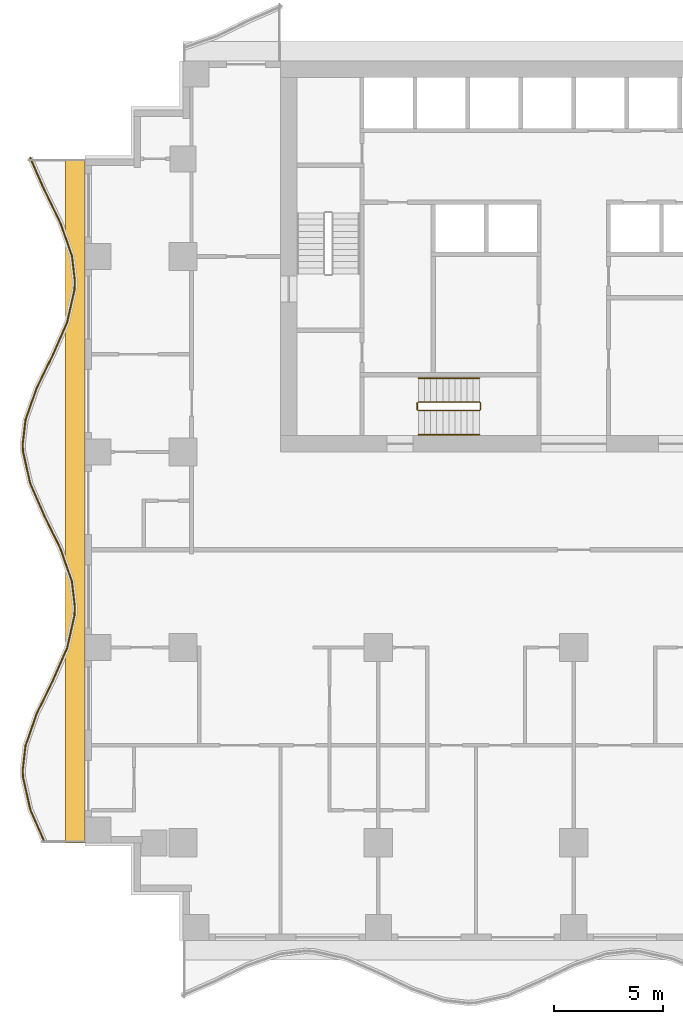
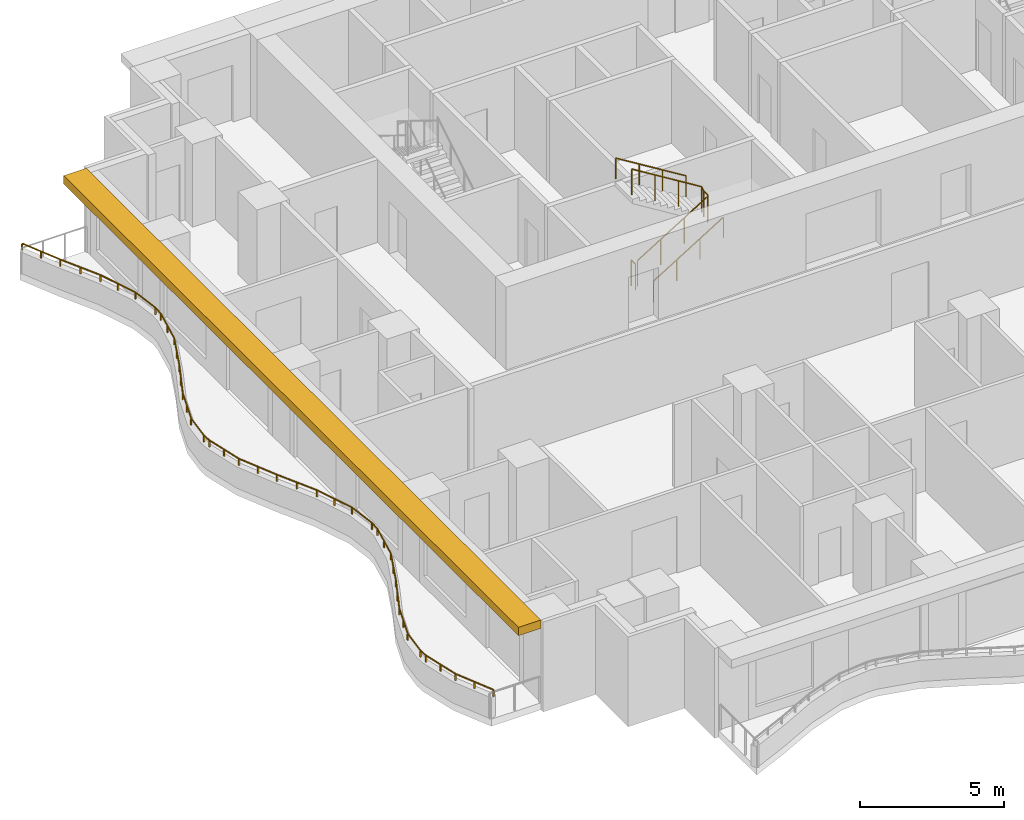
# One storey, part 8 of 10: 5 railings, 1 shading device.
"""IFC4 building model written with IfcOpenShell, lengths in metres."""

import ifcopenshell
import ifcopenshell.guid

model = None  # the IFC model being written
_history = None  # IfcOwnerHistory: only IFC2X3 demands one
_inside = {}  # id of a spatial element -> (the spatial element, [elements in it])
_under = {}  # id of a project, library or spatial element -> (it, [spatial elements below it])
_declared = {}  # id of a project -> (the project, [libraries it declares])
_typed = {}  # id of a type object -> (the type object, [elements of that type])
_made_of = {}  # id of a material, layer set ... -> (it, [elements and type objects made of it])


def new_model(schema):
    """Start an empty IFC model of exactly this schema.

    Asked for "IFC4X3", IfcOpenShell would pick the latest addendum, in which some entities
    have other attributes; the version numbers below select the first issue.
    IFC2X3 requires an IfcOwnerHistory on every rooted entity: one is made here for all.
    """
    global model, _history
    if schema == "IFC4X3":
        model = ifcopenshell.file(schema_version=(4, 3, 0, 0))
    else:
        model = ifcopenshell.file(schema=schema)
    _inside.clear()
    _under.clear()
    _declared.clear()
    _typed.clear()
    _made_of.clear()
    _history = None
    if model.schema == "IFC2X3":
        org = make("IfcOrganization", Name="unknown")
        user = make(
            "IfcPersonAndOrganization",
            ThePerson=make("IfcPerson", FamilyName="unknown"),
            TheOrganization=org,
        )
        app = make(
            "IfcApplication",
            ApplicationDeveloper=org,
            Version="unknown",
            ApplicationFullName="unknown",
            ApplicationIdentifier="unknown",
        )
        _history = make(
            "IfcOwnerHistory",
            OwningUser=user,
            OwningApplication=app,
            ChangeAction="ADDED",
            CreationDate=0,
        )
    return model


def make(cls, **values):
    """One entity of the class cls with the attributes given. An attribute that is None is left unset."""
    return model.create_entity(
        cls, **{name: value for name, value in values.items() if value is not None}
    )


def rooted(cls, **values):
    """An entity with a GlobalId (a new one), such as an element, a storey or a relation."""
    return make(cls, GlobalId=ifcopenshell.guid.new(), OwnerHistory=_history, **values)


def si_unit(unit_type, name, prefix=None):
    """IfcSIUnit, for example si_unit("LENGTHUNIT", "METRE", prefix="MILLI")."""
    return make("IfcSIUnit", UnitType=unit_type, Prefix=prefix, Name=name)


def assignment(units):
    """IfcUnitAssignment: the units of a project."""
    return None if units is None else make("IfcUnitAssignment", Units=units)


def point(xyz):
    """IfcCartesianPoint."""
    return None if xyz is None else make("IfcCartesianPoint", Coordinates=xyz)


def direction(xyz):
    """IfcDirection."""
    return None if xyz is None else make("IfcDirection", DirectionRatios=xyz)


def frame(location, z_axis=None, x_axis=None):
    """IfcAxis2Placement3D, a coordinate frame: its origin and axes. An axis left out is left unset."""
    return make(
        "IfcAxis2Placement3D",
        Location=point(location),
        Axis=direction(z_axis),
        RefDirection=direction(x_axis),
    )


def frame_2d(location, x_axis=None):
    """IfcAxis2Placement2D, a coordinate frame in the plane: its origin and x axis."""
    return make(
        "IfcAxis2Placement2D", Location=point(location), RefDirection=direction(x_axis)
    )


def origin():
    """The frame at (0, 0, 0) with its axes left unset."""
    return frame((0.0, 0.0, 0.0))


def origin_2d():
    """The frame at (0, 0) in the plane with its x axis left unset."""
    return frame_2d((0.0, 0.0))


def place(relative_to, where):
    """IfcLocalPlacement: puts the frame where relative to a parent placement (None: the world)."""
    return make(
        "IfcLocalPlacement", PlacementRelTo=relative_to, RelativePlacement=where
    )


def context(
    kind, dimensions, precision=None, world=None, true_north=None, identifier=None
):
    """IfcGeometricRepresentationContext, for example the 3D "Model" context."""
    return make(
        "IfcGeometricRepresentationContext",
        ContextIdentifier=identifier,
        ContextType=kind,
        CoordinateSpaceDimension=dimensions,
        Precision=precision,
        WorldCoordinateSystem=world,
        TrueNorth=true_north,
    )


def subcontext(parent, identifier, kind, view, scale=None):
    """IfcGeometricRepresentationSubContext, for example "Body" below "Model"."""
    return make(
        "IfcGeometricRepresentationSubContext",
        ContextIdentifier=identifier,
        ContextType=kind,
        ParentContext=parent,
        TargetScale=scale,
        TargetView=view,
    )


def project(units=None, contexts=None):
    """IfcProject with its units and contexts."""
    return rooted(
        "IfcProject",
        Name="project",
        RepresentationContexts=contexts,
        UnitsInContext=assignment(units),
    )


def spatial(cls, under=None, at=None, **own):
    """A site, building, storey or space (cls), placed at a placement, below another one or the project."""
    s = rooted(cls, ObjectPlacement=at, **own)
    if under is not None:
        _under.setdefault(under.id(), (under, []))[1].append(s)
    return s


def polyline(points):
    """IfcPolyline through the points."""
    return make("IfcPolyline", Points=[point(p) for p in points])


def profile(cls, at=None, kind="AREA", **sizes):
    """A parametric profile (cls). Its sizes go by their IFC names, for example OverallWidth=200.0."""
    return make(cls, ProfileType=kind, Position=at, **sizes)


def rectangle(**sizes):
    """IfcRectangleProfileDef."""
    return profile("IfcRectangleProfileDef", **sizes)


def circle(**sizes):
    """IfcCircleProfileDef."""
    return profile("IfcCircleProfileDef", **sizes)


def outline(outer, holes=None, kind="AREA"):
    """IfcArbitraryClosedProfileDef: a profile drawn as a closed curve; with holes, ...WithVoids."""
    if holes is None:
        return make("IfcArbitraryClosedProfileDef", ProfileType=kind, OuterCurve=outer)
    return make(
        "IfcArbitraryProfileDefWithVoids",
        ProfileType=kind,
        OuterCurve=outer,
        InnerCurves=holes,
    )


def extrude(swept, where, along, depth):
    """IfcExtrudedAreaSolid: the profile swept, set in the frame where, extruded along a direction by depth."""
    return make(
        "IfcExtrudedAreaSolid",
        SweptArea=swept,
        Position=where,
        ExtrudedDirection=direction(along),
        Depth=depth,
    )


def shape(context_of_items, identifier, shape_type, items):
    """IfcShapeRepresentation: the items that make up one representation, for example the "Body"."""
    return make(
        "IfcShapeRepresentation",
        ContextOfItems=context_of_items,
        RepresentationIdentifier=identifier,
        RepresentationType=shape_type,
        Items=items,
    )


def material(Name=None, Category=None):
    """IfcMaterial."""
    return make("IfcMaterial", Name=Name, Category=Category)


def layer(
    of_material, thickness, ventilated=None, Name=None, Category=None, Priority=None
):
    """IfcMaterialLayer: one layer of a wall or slab, of a material (None: an air gap)."""
    return make(
        "IfcMaterialLayer",
        Material=of_material,
        LayerThickness=thickness,
        IsVentilated=ventilated,
        Name=Name,
        Category=Category,
        Priority=Priority,
    )


def layer_set(layers, Name=None):
    """IfcMaterialLayerSet."""
    return make("IfcMaterialLayerSet", MaterialLayers=layers, LayerSetName=Name)


def made_of(thing, what):
    """Note that an element or type object is made of a material, layer set ...; save() writes the relation."""
    if what is not None:
        _made_of.setdefault(what.id(), (what, []))[1].append(thing)
    return thing


def type_object(cls, material=None, **own):
    """A type object (cls), such as IfcWallType, which elements share."""
    return made_of(rooted(cls, **own), material)


def element(
    cls,
    number,
    at=None,
    inside=None,
    cuts=None,
    type_object=None,
    material=None,
    context=None,
    identifier="Body",
    shape_type=None,
    held_by="IfcProductDefinitionShape",
    body=None,
    shapes=None,
    **own,
):
    """One element of the class cls, such as IfcWall. Its Tag is "e" and its number.

    at: its placement. inside: the storey or other place that contains it. cuts: it is an
    opening in that element (IfcRelVoidsElement). A single representation is given by context,
    identifier, shape_type and body (its items); several are given by shapes. held_by: the class
    of the entity that holds the representations. save() writes the other relations.
    """
    e = rooted(cls, Tag="e%d" % number, ObjectPlacement=at, **own)
    if body is not None:
        shapes = [shape(context, identifier, shape_type, body)]
    if shapes is not None:
        e.Representation = make(held_by, Representations=shapes)
    if inside is not None:
        _inside.setdefault(inside.id(), (inside, []))[1].append(e)
    if cuts is not None:
        rooted(
            "IfcRelVoidsElement", RelatingBuildingElement=cuts, RelatedOpeningElement=e
        )
    if type_object is not None:
        _typed.setdefault(type_object.id(), (type_object, []))[1].append(e)
    return made_of(e, material)


def aggregate(whole, parts):
    """IfcRelAggregates: a whole, such as a stair, and the parts it consists of."""
    return rooted("IfcRelAggregates", RelatingObject=whole, RelatedObjects=parts)


def save(model, path):
    """Write the relations noted so far, then the file.

    IfcRelAggregates (storeys below a building ...), IfcRelContainedInSpatialStructure (elements
    in a storey), IfcRelDefinesByType, IfcRelAssociatesMaterial and IfcRelDeclares: one each for
    every whole, place, type object, material and project.
    """
    for whole, parts in _under.values():
        aggregate(whole, parts)
    for where, things in _inside.values():
        rooted(
            "IfcRelContainedInSpatialStructure",
            RelatedElements=things,
            RelatingStructure=where,
        )
    for kind, things in _typed.values():
        rooted("IfcRelDefinesByType", RelatedObjects=things, RelatingType=kind)
    for what, things in _made_of.values():
        rooted("IfcRelAssociatesMaterial", RelatedObjects=things, RelatingMaterial=what)
    for by, libraries in _declared.values():
        rooted("IfcRelDeclares", RelatingContext=by, RelatedDefinitions=libraries)
    model.write(path)


model = new_model("IFC4")

# Units and contexts
model_context = context("Model", 3, precision=1e-05, world=origin(), true_north=direction((0.0, 1.0)))
body_context = subcontext(model_context, "Body", "Model", "MODEL_VIEW")
ifc_project = project(units=[si_unit("LENGTHUNIT", "METRE"), si_unit("AREAUNIT", "SQUARE_METRE"), si_unit("VOLUMEUNIT", "CUBIC_METRE"), si_unit("PLANEANGLEUNIT", "RADIAN"), si_unit("MASSUNIT", "GRAM", prefix="KILO")], contexts=[model_context])

# Site, building, storey
site_placement = place(None, origin())
site = spatial("IfcSite", under=ifc_project, at=site_placement, CompositionType="ELEMENT")
building_placement = place(site_placement, origin())
building = spatial("IfcBuilding", under=site, at=building_placement, Name="Orbiselva Terraces", CompositionType="ELEMENT")
storey_placement = place(building_placement, frame((0.0, 0.0, 125.0)))
storey = spatial("IfcBuildingStorey", under=building, at=storey_placement, Name="L31", CompositionType="ELEMENT", Elevation=125.0)

# Railings
ifc_material_1 = material(Name="Stainless steel", Category="steel")
railing_type_1 = type_object("IfcRailingType", Name="CORE-GUARD-1100", PredefinedType="GUARDRAIL", material=ifc_material_1)
railing_1_placement = place(storey_placement, frame((-7.15, 6.4, 0.172727)))
element("IfcRailing", 1, at=railing_1_placement, inside=storey, type_object=railing_type_1, Name="L31 S3 stair guard 1", PredefinedType="GUARDRAIL", context=body_context, shape_type="SweptSolid", body=[
    extrude(circle(Radius=0.024, at=origin_2d()), frame((0.0, 0.0, 1.081), z_axis=(0.851088519012, 0.0, 0.52502222125), x_axis=(0.0, 1.0, 0.0)), (0.0, 0.0, 1.0), 3.289905),
    extrude(circle(Radius=0.024, at=origin_2d()), frame((2.8, 0.0, 2.808273), z_axis=(0.707106781187, 0.707106781187, 0.0), x_axis=(-0.707106781187, 0.707106781187, 0.0)), (0.0, 0.0, 1.0), 0.070711),
    extrude(circle(Radius=0.024, at=origin_2d()), frame((2.85, 0.05, 2.808273), z_axis=(0.0, 1.0, 0.0), x_axis=(-1.0, 0.0, 0.0)), (0.0, 0.0, 1.0), 0.3),
    extrude(circle(Radius=0.024, at=origin_2d()), frame((2.85, 0.35, 2.808273), z_axis=(-0.267894925557, 0.267894925557, 0.925453736133), x_axis=(-0.707106781187, -0.707106781187, 0.0)), (0.0, 0.0, 1.0), 0.18664),
    extrude(circle(Radius=0.024, at=origin_2d()), frame((2.8, 0.4, 2.981), z_axis=(-0.851088519012, 0.0, 0.52502222125), x_axis=(0.0, -1.0, 0.0)), (0.0, 0.0, 1.0), 3.289905),
    extrude(circle(Radius=0.021, at=origin_2d()), origin(), (0.0, 0.0, 1.0), 1.057),
    extrude(circle(Radius=0.021, at=origin_2d()), frame((0.933333, 0.0, 0.575758)), (0.0, 0.0, 1.0), 1.057),
    extrude(circle(Radius=0.021, at=origin_2d()), frame((1.866667, 0.0, 1.151515)), (0.0, 0.0, 1.0), 1.057),
    extrude(circle(Radius=0.021, at=origin_2d()), frame((2.8, 0.0, 1.727273)), (0.0, 0.0, 1.0), 1.057),
    extrude(circle(Radius=0.021, at=origin_2d()), frame((2.85, 0.05, 1.727273)), (0.0, 0.0, 1.0), 1.057),
    extrude(circle(Radius=0.021, at=origin_2d()), frame((2.85, 0.35, 1.727273)), (0.0, 0.0, 1.0), 1.057),
    extrude(circle(Radius=0.021, at=origin_2d()), frame((2.8, 0.4, 1.9)), (0.0, 0.0, 1.0), 1.057),
    extrude(circle(Radius=0.021, at=origin_2d()), frame((1.866667, 0.4, 2.475758)), (0.0, 0.0, 1.0), 1.057),
    extrude(circle(Radius=0.021, at=origin_2d()), frame((0.933333, 0.4, 3.051515)), (0.0, 0.0, 1.0), 1.057),
    extrude(circle(Radius=0.021, at=origin_2d()), frame((0.0, 0.4, 3.627273)), (0.0, 0.0, 1.0), 1.057),
])
railing_2_placement = place(storey_placement, frame((-7.2, 6.45, 0.0)))
element("IfcRailing", 2, at=railing_2_placement, inside=storey, type_object=railing_type_1, Name="L31 S3 stair guard 2", PredefinedType="GUARDRAIL", context=body_context, shape_type="SweptSolid", body=[
    extrude(circle(Radius=0.024, at=origin_2d()), frame((0.0, 0.0, 1.081), z_axis=(0.0, 1.0, 0.0), x_axis=(-1.0, 0.0, 0.0)), (0.0, 0.0, 1.0), 0.3),
    extrude(circle(Radius=0.021, at=origin_2d()), origin(), (0.0, 0.0, 1.0), 1.057),
    extrude(circle(Radius=0.021, at=origin_2d()), frame((0.0, 0.3, 0.0)), (0.0, 0.0, 1.0), 1.057),
])
railing_type_2 = type_object("IfcRailingType", Name="CORE-HANDRAIL-900", PredefinedType="HANDRAIL", material=ifc_material_1)
railing_3_placement = place(storey_placement, frame((-7.15, 5.3, 0.172727)))
element("IfcRailing", 3, at=railing_3_placement, inside=storey, type_object=railing_type_2, Name="L31 S3 stair handrail 1", PredefinedType="HANDRAIL", context=body_context, shape_type="SweptSolid", body=[
    extrude(circle(Radius=0.024, at=origin_2d()), frame((0.0, 0.0, 0.876), z_axis=(0.851088519012, 0.0, 0.52502222125), x_axis=(0.0, 1.0, 0.0)), (0.0, 0.0, 1.0), 3.289905),
    extrude(circle(Radius=0.021, at=origin_2d()), origin(), (0.0, 0.0, 1.0), 0.852),
    extrude(circle(Radius=0.021, at=origin_2d()), frame((0.933333, 0.0, 0.575758)), (0.0, 0.0, 1.0), 0.852),
    extrude(circle(Radius=0.021, at=origin_2d()), frame((1.866667, 0.0, 1.151515)), (0.0, 0.0, 1.0), 0.852),
    extrude(circle(Radius=0.021, at=origin_2d()), frame((2.8, 0.0, 1.727273)), (0.0, 0.0, 1.0), 0.852),
])
railing_4_placement = place(storey_placement, frame((-4.35, 7.9, 2.072727)))
element("IfcRailing", 4, at=railing_4_placement, inside=storey, type_object=railing_type_2, Name="L31 S3 stair handrail 2", PredefinedType="HANDRAIL", context=body_context, shape_type="SweptSolid", body=[
    extrude(circle(Radius=0.024, at=origin_2d()), frame((0.0, 0.0, 0.876), z_axis=(-0.851088519012, 0.0, 0.52502222125), x_axis=(0.0, -1.0, 0.0)), (0.0, 0.0, 1.0), 3.289905),
    extrude(circle(Radius=0.021, at=origin_2d()), origin(), (0.0, 0.0, 1.0), 0.852),
    extrude(circle(Radius=0.021, at=origin_2d()), frame((-0.933333, 0.0, 0.575758)), (0.0, 0.0, 1.0), 0.852),
    extrude(circle(Radius=0.021, at=origin_2d()), frame((-1.866667, 0.0, 1.151515)), (0.0, 0.0, 1.0), 0.852),
    extrude(circle(Radius=0.021, at=origin_2d()), frame((-2.8, 0.0, 1.727273)), (0.0, 0.0, 1.0), 0.852),
])
ifc_material_2 = material(Name="Bonded two-ply safety glass balustrade, stainless steel posts", Category="steel")
railing_type_3 = type_object("IfcRailingType", Name="ENV-BALUSTRADE-1200", PredefinedType="BALUSTRADE", material=ifc_material_2)
railing_5_placement = place(storey_placement, frame((-25.034136, 18.050394, 0.9)))
element("IfcRailing", 5, at=railing_5_placement, inside=storey, type_object=railing_type_3, Name="Balcony balustrade L31 W", PredefinedType="BALUSTRADE", context=body_context, shape_type="SweptSolid", body=[
    extrude(outline(polyline([(0.028868, 0.0), (0.014434, 0.025), (-0.014434, 0.025), (-0.028868, 0.0), (-0.014434, -0.025), (0.014434, -0.025), (0.028868, 0.0)])), frame((0.0, 0.0, 0.275), z_axis=(0.403150940408, -0.915133498047, 0.0), x_axis=(0.915133498047, 0.403150940408, 0.0)), (0.0, 0.0, 1.0), 1.636648),
    extrude(outline(polyline([(0.028868, 0.0), (0.014434, 0.025), (-0.014434, 0.025), (-0.028868, 0.0), (-0.014434, -0.025), (0.014434, -0.025), (0.028868, 0.0)])), frame((0.659816, -1.497751, 0.275), z_axis=(0.438812048596, -0.898578870221, 0.0), x_axis=(0.898578870221, 0.438812048596, 0.0)), (0.0, 0.0, 1.0), 1.674225),
    extrude(outline(polyline([(0.028868, 0.0), (0.014434, 0.025), (-0.014434, 0.025), (-0.028868, 0.0), (-0.014434, -0.025), (0.014434, -0.025), (0.028868, 0.0)])), frame((1.394486, -3.002174, 0.275), z_axis=(0.330024597479, -0.943972332783, 0.0), x_axis=(0.943972332783, 0.330024597479, 0.0)), (0.0, 0.0, 1.0), 1.610253),
    extrude(outline(polyline([(0.028868, 0.0), (0.014434, 0.025), (-0.014434, 0.025), (-0.028868, 0.0), (-0.014434, -0.025), (0.014434, -0.025), (0.028868, 0.0)])), frame((1.925909, -4.522208, 0.275), z_axis=(0.115482182324, -0.993309551734, 0.0), x_axis=(0.993309551734, 0.115482182324, 0.0)), (0.0, 0.0, 1.0), 1.156135),
    extrude(outline(polyline([(0.028868, 0.0), (0.014434, 0.025), (-0.014434, 0.025), (-0.028868, 0.0), (-0.014434, -0.025), (0.014434, -0.025), (0.028868, 0.0)])), frame((2.059422, -5.670608, 0.275), z_axis=(-0.03936915532, -0.999224734286, 0.0), x_axis=(0.999224734286, -0.03936915532, 0.0)), (0.0, 0.0, 1.0), 0.396376),
    extrude(outline(polyline([(0.028868, 0.0), (0.014434, 0.025), (-0.014434, 0.025), (-0.028868, 0.0), (-0.014434, -0.025), (0.014434, -0.025), (0.028868, 0.0)])), frame((2.043817, -6.066677, 0.275), z_axis=(-0.219015500924, -0.97572137947, 0.0), x_axis=(0.97572137947, -0.219015500924, 0.0)), (0.0, 0.0, 1.0), 1.560867),
    extrude(outline(polyline([(0.028868, 0.0), (0.014434, 0.025), (-0.014434, 0.025), (-0.028868, 0.0), (-0.014434, -0.025), (0.014434, -0.025), (0.028868, 0.0)])), frame((1.701963, -7.589648, 0.275), z_axis=(-0.403150874148, -0.915133527237, 0.0), x_axis=(0.915133527237, -0.403150874148, 0.0)), (0.0, 0.0, 1.0), 1.653736),
    extrude(outline(polyline([(0.028868, 0.0), (0.014434, 0.025), (-0.014434, 0.025), (-0.028868, 0.0), (-0.014434, -0.025), (0.014434, -0.025), (0.028868, 0.0)])), frame((1.035258, -9.103037, 0.275), z_axis=(-0.438811978768, -0.89857890432, 0.0), x_axis=(0.89857890432, -0.438811978768, 0.0)), (0.0, 0.0, 1.0), 1.66438),
    extrude(outline(polyline([(0.028868, 0.0), (0.014434, 0.025), (-0.014434, 0.025), (-0.028868, 0.0), (-0.014434, -0.025), (0.014434, -0.025), (0.028868, 0.0)])), frame((0.304908, -10.598614, 0.275), z_axis=(-0.330024754707, -0.943972277814, 0.0), x_axis=(0.943972277814, -0.330024754707, 0.0)), (0.0, 0.0, 1.0), 1.567807),
    extrude(outline(polyline([(0.028868, 0.0), (0.014434, 0.025), (-0.014434, 0.025), (-0.028868, 0.0), (-0.014434, -0.025), (0.014434, -0.025), (0.028868, 0.0)])), frame((-0.212507, -12.07858, 0.275), z_axis=(-0.115481264762, -0.993309658409, 0.0), x_axis=(0.993309658409, -0.115481264762, 0.0)), (0.0, 0.0, 1.0), 1.10902),
    extrude(outline(polyline([(0.028868, 0.0), (0.014434, 0.025), (-0.014434, 0.025), (-0.028868, 0.0), (-0.014434, -0.025), (0.014434, -0.025), (0.028868, 0.0)])), frame((-0.340578, -13.18018, 0.275), z_axis=(0.039364150694, -0.999224931454, 0.0), x_axis=(0.999224931454, 0.039364150694, 0.0)), (0.0, 0.0, 1.0), 0.354206),
    extrude(outline(polyline([(0.028868, 0.0), (0.014434, 0.025), (-0.014434, 0.025), (-0.028868, 0.0), (-0.014434, -0.025), (0.014434, -0.025), (0.028868, 0.0)])), frame((-0.326635, -13.534111, 0.275), z_axis=(0.219015740235, -0.975721325753, 0.0), x_axis=(0.975721325753, 0.219015740235, 0.0)), (0.0, 0.0, 1.0), 1.513782),
    extrude(outline(polyline([(0.028868, 0.0), (0.014434, 0.025), (-0.014434, 0.025), (-0.028868, 0.0), (-0.014434, -0.025), (0.014434, -0.025), (0.028868, 0.0)])), frame((0.004907, -15.01114, 0.275), z_axis=(0.403151245402, -0.915133363686, 0.0), x_axis=(0.915133363686, 0.403151245402, 0.0)), (0.0, 0.0, 1.0), 1.624475),
    extrude(outline(polyline([(0.028868, 0.0), (0.014434, 0.025), (-0.014434, 0.025), (-0.028868, 0.0), (-0.014434, -0.025), (0.014434, -0.025), (0.028868, 0.0)])), frame((0.659816, -16.497751, 0.275), z_axis=(0.438812048596, -0.898578870221, 0.0), x_axis=(0.898578870221, 0.438812048596, 0.0)), (0.0, 0.0, 1.0), 1.674225),
    extrude(outline(polyline([(0.028868, 0.0), (0.014434, 0.025), (-0.014434, 0.025), (-0.028868, 0.0), (-0.014434, -0.025), (0.014434, -0.025), (0.028868, 0.0)])), frame((1.394486, -18.002174, 0.275), z_axis=(0.330024597479, -0.943972332783, 0.0), x_axis=(0.943972332783, 0.330024597479, 0.0)), (0.0, 0.0, 1.0), 1.610253),
    extrude(outline(polyline([(0.028868, 0.0), (0.014434, 0.025), (-0.014434, 0.025), (-0.028868, 0.0), (-0.014434, -0.025), (0.014434, -0.025), (0.028868, 0.0)])), frame((1.925909, -19.522208, 0.275), z_axis=(0.115482182324, -0.993309551734, 0.0), x_axis=(0.993309551734, 0.115482182324, 0.0)), (0.0, 0.0, 1.0), 1.156135),
    extrude(outline(polyline([(0.028868, 0.0), (0.014434, 0.025), (-0.014434, 0.025), (-0.028868, 0.0), (-0.014434, -0.025), (0.014434, -0.025), (0.028868, 0.0)])), frame((2.059422, -20.670608, 0.275), z_axis=(-0.03936915532, -0.999224734286, 0.0), x_axis=(0.999224734286, -0.03936915532, 0.0)), (0.0, 0.0, 1.0), 0.396376),
    extrude(outline(polyline([(0.028868, 0.0), (0.014434, 0.025), (-0.014434, 0.025), (-0.028868, 0.0), (-0.014434, -0.025), (0.014434, -0.025), (0.028868, 0.0)])), frame((2.043817, -21.066677, 0.275), z_axis=(-0.219015500924, -0.97572137947, 0.0), x_axis=(0.97572137947, -0.219015500924, 0.0)), (0.0, 0.0, 1.0), 1.560867),
    extrude(outline(polyline([(0.028868, 0.0), (0.014434, 0.025), (-0.014434, 0.025), (-0.028868, 0.0), (-0.014434, -0.025), (0.014434, -0.025), (0.028868, 0.0)])), frame((1.701963, -22.589648, 0.275), z_axis=(-0.403150874148, -0.915133527237, 0.0), x_axis=(0.915133527237, -0.403150874148, 0.0)), (0.0, 0.0, 1.0), 1.653736),
    extrude(outline(polyline([(0.028868, 0.0), (0.014434, 0.025), (-0.014434, 0.025), (-0.028868, 0.0), (-0.014434, -0.025), (0.014434, -0.025), (0.028868, 0.0)])), frame((1.035258, -24.103037, 0.275), z_axis=(-0.438811978768, -0.89857890432, 0.0), x_axis=(0.89857890432, -0.438811978768, 0.0)), (0.0, 0.0, 1.0), 1.66438),
    extrude(outline(polyline([(0.028868, 0.0), (0.014434, 0.025), (-0.014434, 0.025), (-0.028868, 0.0), (-0.014434, -0.025), (0.014434, -0.025), (0.028868, 0.0)])), frame((0.304908, -25.598614, 0.275), z_axis=(-0.330024754707, -0.943972277814, 0.0), x_axis=(0.943972277814, -0.330024754707, 0.0)), (0.0, 0.0, 1.0), 1.567807),
    extrude(outline(polyline([(0.028868, 0.0), (0.014434, 0.025), (-0.014434, 0.025), (-0.028868, 0.0), (-0.014434, -0.025), (0.014434, -0.025), (0.028868, 0.0)])), frame((-0.212507, -27.07858, 0.275), z_axis=(-0.115481264762, -0.993309658409, 0.0), x_axis=(0.993309658409, -0.115481264762, 0.0)), (0.0, 0.0, 1.0), 1.10902),
    extrude(outline(polyline([(0.028868, 0.0), (0.014434, 0.025), (-0.014434, 0.025), (-0.028868, 0.0), (-0.014434, -0.025), (0.014434, -0.025), (0.028868, 0.0)])), frame((-0.340578, -28.18018, 0.275), z_axis=(0.039364150694, -0.999224931454, 0.0), x_axis=(0.999224931454, 0.039364150694, 0.0)), (0.0, 0.0, 1.0), 0.354206),
    extrude(outline(polyline([(0.028868, 0.0), (0.014434, 0.025), (-0.014434, 0.025), (-0.028868, 0.0), (-0.014434, -0.025), (0.014434, -0.025), (0.028868, 0.0)])), frame((-0.326635, -28.534111, 0.275), z_axis=(0.219015740235, -0.975721325753, 0.0), x_axis=(0.975721325753, 0.219015740235, 0.0)), (0.0, 0.0, 1.0), 1.513782),
    extrude(outline(polyline([(0.028868, 0.0), (0.014434, 0.025), (-0.014434, 0.025), (-0.028868, 0.0), (-0.014434, -0.025), (0.014434, -0.025), (0.028868, 0.0)])), frame((0.004907, -30.01114, 0.275), z_axis=(0.403151363532, -0.915133311645, 0.0), x_axis=(0.915133311645, 0.403151363532, 0.0)), (0.0, 0.0, 1.0), 1.626932),
    extrude(rectangle(XDim=0.05, YDim=0.05, at=origin_2d()), origin(), (0.0, 0.0, 1.0), 0.25),
    extrude(rectangle(XDim=0.05, YDim=0.05, at=origin_2d()), frame((0.329908, -0.748876, 0.0)), (0.0, 0.0, 1.0), 0.25),
    extrude(rectangle(XDim=0.05, YDim=0.05, at=origin_2d()), frame((0.659816, -1.497751, 0.0)), (0.0, 0.0, 1.0), 0.25),
    extrude(rectangle(XDim=0.05, YDim=0.05, at=origin_2d()), frame((1.027151, -2.249963, 0.0)), (0.0, 0.0, 1.0), 0.25),
    extrude(rectangle(XDim=0.05, YDim=0.05, at=origin_2d()), frame((1.394486, -3.002174, 0.0)), (0.0, 0.0, 1.0), 0.25),
    extrude(rectangle(XDim=0.05, YDim=0.05, at=origin_2d()), frame((1.660198, -3.762191, 0.0)), (0.0, 0.0, 1.0), 0.25),
    extrude(rectangle(XDim=0.05, YDim=0.05, at=origin_2d()), frame((1.925909, -4.522208, 0.0)), (0.0, 0.0, 1.0), 0.25),
    extrude(rectangle(XDim=0.05, YDim=0.05, at=origin_2d()), frame((2.059422, -5.670608, 0.0)), (0.0, 0.0, 1.0), 0.25),
    extrude(rectangle(XDim=0.05, YDim=0.05, at=origin_2d()), frame((2.043817, -6.066677, 0.0)), (0.0, 0.0, 1.0), 0.25),
    extrude(rectangle(XDim=0.05, YDim=0.05, at=origin_2d()), frame((1.87289, -6.828162, 0.0)), (0.0, 0.0, 1.0), 0.25),
    extrude(rectangle(XDim=0.05, YDim=0.05, at=origin_2d()), frame((1.701963, -7.589648, 0.0)), (0.0, 0.0, 1.0), 0.25),
    extrude(rectangle(XDim=0.05, YDim=0.05, at=origin_2d()), frame((1.36861, -8.346342, 0.0)), (0.0, 0.0, 1.0), 0.25),
    extrude(rectangle(XDim=0.05, YDim=0.05, at=origin_2d()), frame((1.035258, -9.103037, 0.0)), (0.0, 0.0, 1.0), 0.25),
    extrude(rectangle(XDim=0.05, YDim=0.05, at=origin_2d()), frame((0.670083, -9.850826, 0.0)), (0.0, 0.0, 1.0), 0.25),
    extrude(rectangle(XDim=0.05, YDim=0.05, at=origin_2d()), frame((0.304908, -10.598614, 0.0)), (0.0, 0.0, 1.0), 0.25),
    extrude(rectangle(XDim=0.05, YDim=0.05, at=origin_2d()), frame((0.046201, -11.338597, 0.0)), (0.0, 0.0, 1.0), 0.25),
    extrude(rectangle(XDim=0.05, YDim=0.05, at=origin_2d()), frame((-0.212507, -12.07858, 0.0)), (0.0, 0.0, 1.0), 0.25),
    extrude(rectangle(XDim=0.05, YDim=0.05, at=origin_2d()), frame((-0.340578, -13.18018, 0.0)), (0.0, 0.0, 1.0), 0.25),
    extrude(rectangle(XDim=0.05, YDim=0.05, at=origin_2d()), frame((-0.326635, -13.534111, 0.0)), (0.0, 0.0, 1.0), 0.25),
    extrude(rectangle(XDim=0.05, YDim=0.05, at=origin_2d()), frame((-0.160864, -14.272626, 0.0)), (0.0, 0.0, 1.0), 0.25),
    extrude(rectangle(XDim=0.05, YDim=0.05, at=origin_2d()), frame((0.004907, -15.01114, 0.0)), (0.0, 0.0, 1.0), 0.25),
    extrude(rectangle(XDim=0.05, YDim=0.05, at=origin_2d()), frame((0.332361, -15.754446, 0.0)), (0.0, 0.0, 1.0), 0.25),
    extrude(rectangle(XDim=0.05, YDim=0.05, at=origin_2d()), frame((0.659816, -16.497751, 0.0)), (0.0, 0.0, 1.0), 0.25),
    extrude(rectangle(XDim=0.05, YDim=0.05, at=origin_2d()), frame((1.027151, -17.249963, 0.0)), (0.0, 0.0, 1.0), 0.25),
    extrude(rectangle(XDim=0.05, YDim=0.05, at=origin_2d()), frame((1.394486, -18.002174, 0.0)), (0.0, 0.0, 1.0), 0.25),
    extrude(rectangle(XDim=0.05, YDim=0.05, at=origin_2d()), frame((1.660198, -18.762191, 0.0)), (0.0, 0.0, 1.0), 0.25),
    extrude(rectangle(XDim=0.05, YDim=0.05, at=origin_2d()), frame((1.925909, -19.522208, 0.0)), (0.0, 0.0, 1.0), 0.25),
    extrude(rectangle(XDim=0.05, YDim=0.05, at=origin_2d()), frame((2.059422, -20.670608, 0.0)), (0.0, 0.0, 1.0), 0.25),
    extrude(rectangle(XDim=0.05, YDim=0.05, at=origin_2d()), frame((2.043817, -21.066677, 0.0)), (0.0, 0.0, 1.0), 0.25),
    extrude(rectangle(XDim=0.05, YDim=0.05, at=origin_2d()), frame((1.87289, -21.828162, 0.0)), (0.0, 0.0, 1.0), 0.25),
    extrude(rectangle(XDim=0.05, YDim=0.05, at=origin_2d()), frame((1.701963, -22.589648, 0.0)), (0.0, 0.0, 1.0), 0.25),
    extrude(rectangle(XDim=0.05, YDim=0.05, at=origin_2d()), frame((1.36861, -23.346342, 0.0)), (0.0, 0.0, 1.0), 0.25),
    extrude(rectangle(XDim=0.05, YDim=0.05, at=origin_2d()), frame((1.035258, -24.103037, 0.0)), (0.0, 0.0, 1.0), 0.25),
    extrude(rectangle(XDim=0.05, YDim=0.05, at=origin_2d()), frame((0.670083, -24.850826, 0.0)), (0.0, 0.0, 1.0), 0.25),
    extrude(rectangle(XDim=0.05, YDim=0.05, at=origin_2d()), frame((0.304908, -25.598614, 0.0)), (0.0, 0.0, 1.0), 0.25),
    extrude(rectangle(XDim=0.05, YDim=0.05, at=origin_2d()), frame((0.046201, -26.338597, 0.0)), (0.0, 0.0, 1.0), 0.25),
    extrude(rectangle(XDim=0.05, YDim=0.05, at=origin_2d()), frame((-0.212507, -27.07858, 0.0)), (0.0, 0.0, 1.0), 0.25),
    extrude(rectangle(XDim=0.05, YDim=0.05, at=origin_2d()), frame((-0.340578, -28.18018, 0.0)), (0.0, 0.0, 1.0), 0.25),
    extrude(rectangle(XDim=0.05, YDim=0.05, at=origin_2d()), frame((-0.326635, -28.534111, 0.0)), (0.0, 0.0, 1.0), 0.25),
    extrude(rectangle(XDim=0.05, YDim=0.05, at=origin_2d()), frame((-0.160864, -29.272626, 0.0)), (0.0, 0.0, 1.0), 0.25),
    extrude(rectangle(XDim=0.05, YDim=0.05, at=origin_2d()), frame((0.004907, -30.01114, 0.0)), (0.0, 0.0, 1.0), 0.25),
    extrude(rectangle(XDim=0.05, YDim=0.05, at=origin_2d()), frame((0.332857, -30.75557, 0.0)), (0.0, 0.0, 1.0), 0.25),
    extrude(rectangle(XDim=0.05, YDim=0.05, at=origin_2d()), frame((0.660807, -31.5, 0.0)), (0.0, 0.0, 1.0), 0.25),
])

# Shading device
ifc_material_3 = material(Name="Terracotta baguette sunshade", Category="masonry")
ifc_layer = layer(ifc_material_3, 0.35)
ifc_layer_set = layer_set([ifc_layer], Name="Terracotta baguette sunshade")
shading_device_type = type_object("IfcShadingDeviceType", Name="ENV-SUNSHADE-900x350", PredefinedType="USERDEFINED", material=ifc_layer_set)
shading_device_placement = place(storey_placement, frame((0.0, 0.0, 3.15)))
element("IfcShadingDevice", 6, at=shading_device_placement, inside=storey, type_object=shading_device_type, Name="Sunshade band L31 W", ObjectType="SUNSHADE", PredefinedType="USERDEFINED", context=body_context, shape_type="SweptSolid", body=[
    extrude(outline(polyline([(-23.4, 18.0), (-23.4, -13.5), (-22.5, -13.5), (-22.5, 18.0), (-23.4, 18.0)])), origin(), (0.0, 0.0, 1.0), 0.35),
])

save(model, "model.ifc")
